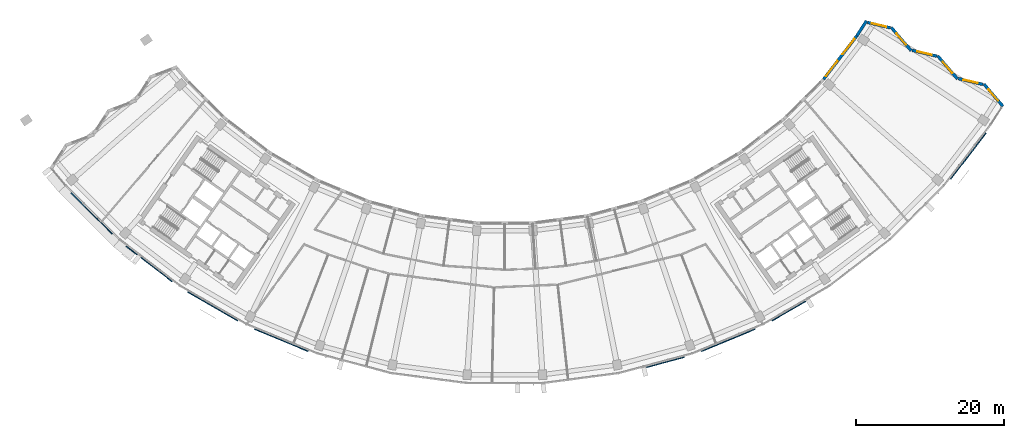
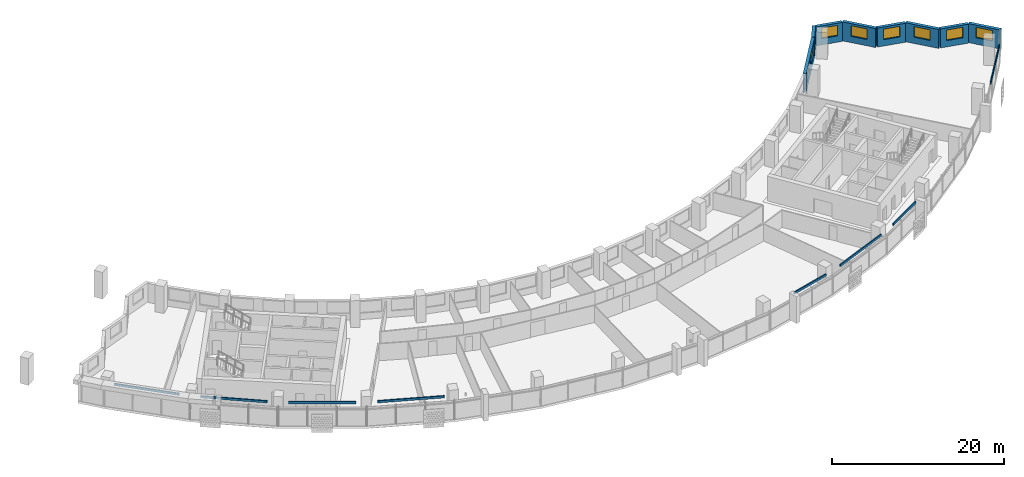
# One storey, part 8 of 26: 8 discrete accessories, 8 walls, 8 windows, 8 openings.
"""IFC4 building model written with IfcOpenShell, lengths in metres."""

from ifc_helpers import new_model, si_unit, direction, frame, frame_2d, origin, origin_2d, place, context, subcontext, project, spatial, rectangle, extrude, material, layer, layer_set, type_object, element, fill, save


model = new_model("IFC4")

# Units and contexts
model_context = context("Model", 3, precision=1e-05, world=origin(), true_north=direction((0.0, 1.0)))
body_context = subcontext(model_context, "Body", "Model", "MODEL_VIEW")
ifc_project = project(units=[si_unit("LENGTHUNIT", "METRE"), si_unit("AREAUNIT", "SQUARE_METRE"), si_unit("VOLUMEUNIT", "CUBIC_METRE"), si_unit("PLANEANGLEUNIT", "RADIAN"), si_unit("MASSUNIT", "GRAM", prefix="KILO")], contexts=[model_context])

# Site, building, storey
site_placement = place(None, origin())
site = spatial("IfcSite", under=ifc_project, at=site_placement, CompositionType="ELEMENT")
building_placement = place(site_placement, origin())
building = spatial("IfcBuilding", under=site, at=building_placement, Name="Qamariyya Broadcast Tower", CompositionType="ELEMENT")
storey_placement = place(building_placement, frame((0.0, 0.0, 183.5)))
storey = spatial("IfcBuildingStorey", under=building, at=storey_placement, Name="L43", CompositionType="ELEMENT", Elevation=183.5)

# Wall, opening, window
ifc_material_1 = material(Name="Terracotta", Category="masonry")
ifc_layer = layer(ifc_material_1, 0.39990234375)
ifc_layer_set = layer_set([ifc_layer], Name="Terracotta clad wall 400")
wall_type = type_object("IfcWallType", Name="Terracotta clad wall 400", PredefinedType="SOLIDWALL", material=ifc_layer_set)
wall_1_placement = place(storey_placement, frame((67.26953125, -41.304443359375, 0.0), z_axis=(0.0, 0.0, 1.0), x_axis=(-0.649596068572, 0.760279519451, 0.0)))
wall_1 = element("IfcWall", 1, at=wall_1_placement, inside=storey, type_object=wall_type, Name="e-wl-L43-capE0", PredefinedType="SOLIDWALL", context=body_context, shape_type="SweptSolid", body=[
    extrude(rectangle(XDim=3.921875, YDim=0.39990234375, at=frame_2d((1.9609375, 0.0))), origin(), (0.0, 0.0, 1.0), 2.699951171875),
])
opening_1_placement = place(wall_1_placement, frame((0.9609375, 0.0, 0.89990234375)))
opening_1 = element("IfcOpeningElement", 2, at=opening_1_placement, cuts=wall_1, Name="Opening W4", PredefinedType="OPENING", context=body_context, shape_type="SweptSolid", body=[
    extrude(rectangle(XDim=2.0, YDim=1.5, at=frame_2d((1.0, 0.75))), frame((0.0, 0.2099609375, 0.0), z_axis=(0.0, -1.0, 0.0), x_axis=(1.0, 0.0, 0.0)), (0.0, 0.0, 1.0), 0.419921875),
])
ifc_material_2 = material(Name="Clear low-e double glazed unit in aluminium frame", Category="aluminium")
window_type_1 = type_object("IfcWindowType", Name="Horn bay window 2000 x 1500", PartitioningType="SINGLE_PANEL", PredefinedType="WINDOW", material=ifc_material_2)
window_1_placement = place(opening_1_placement, origin())
window_1 = element("IfcWindow", 3, at=window_1_placement, inside=storey, type_object=window_type_1, Name="e-w-L43-capE0", OverallHeight=1.5, OverallWidth=2.0, PartitioningType="SINGLE_PANEL", PredefinedType="WINDOW", context=body_context, shape_type="SweptSolid", body=[
    extrude(rectangle(XDim=2.0, YDim=1.5, at=frame_2d((1.0, 0.75))), frame((0.0, 0.030029296875, 0.0), z_axis=(0.0, -1.0, 0.0), x_axis=(1.0, 0.0, 0.0)), (0.0, 0.0, 1.0), 0.06005859375),
])
fill(opening_1, window_1)

wall_2_placement = place(storey_placement, frame((64.591064453125, -38.36474609375, 0.0), z_axis=(0.0, 0.0, 1.0), x_axis=(-0.973401248379, 0.229106982987, 0.0)))
wall_2 = element("IfcWall", 4, at=wall_2_placement, inside=storey, type_object=wall_type, Name="e-wl-L43-capE1", PredefinedType="SOLIDWALL", context=body_context, shape_type="SweptSolid", body=[
    extrude(rectangle(XDim=3.419677734375, YDim=0.39990234375, at=frame_2d((1.7099609375, 0.0))), origin(), (0.0, 0.0, 1.0), 2.699951171875),
])
opening_2_placement = place(wall_2_placement, frame((0.709716796875, 0.0, 0.89990234375)))
opening_2 = element("IfcOpeningElement", 5, at=opening_2_placement, cuts=wall_2, Name="Opening W4", PredefinedType="OPENING", context=body_context, shape_type="SweptSolid", body=[
    extrude(rectangle(XDim=2.0, YDim=1.5, at=frame_2d((1.0, 0.75))), frame((0.0, 0.2099609375, 0.0), z_axis=(0.0, -1.0, 0.0), x_axis=(1.0, 0.0, 0.0)), (0.0, 0.0, 1.0), 0.419921875),
])
window_2_placement = place(opening_2_placement, origin())
window_2 = element("IfcWindow", 6, at=window_2_placement, inside=storey, type_object=window_type_1, Name="e-w-L43-capE1", OverallHeight=1.5, OverallWidth=2.0, PartitioningType="SINGLE_PANEL", PredefinedType="WINDOW", context=body_context, shape_type="SweptSolid", body=[
    extrude(rectangle(XDim=2.0, YDim=1.5, at=frame_2d((1.0, 0.75))), frame((0.0, 0.030029296875, 0.0), z_axis=(0.0, -1.0, 0.0), x_axis=(1.0, 0.0, 0.0)), (0.0, 0.0, 1.0), 0.06005859375),
])
fill(opening_2, window_2)

wall_3_placement = place(storey_placement, frame((61.13134765625, -37.623291015625, 0.0), z_axis=(0.0, 0.0, 1.0), x_axis=(-0.649640461738, 0.760241586914, 0.0)))
wall_3 = element("IfcWall", 7, at=wall_3_placement, inside=storey, type_object=wall_type, Name="e-wl-L43-capE2", PredefinedType="SOLIDWALL", context=body_context, shape_type="SweptSolid", body=[
    extrude(rectangle(XDim=4.10791015625, YDim=0.39990234375, at=frame_2d((2.053955078125, 0.0))), origin(), (0.0, 0.0, 1.0), 2.699951171875),
])
opening_3_placement = place(wall_3_placement, frame((1.053955078125, 0.0, 0.89990234375)))
opening_3 = element("IfcOpeningElement", 8, at=opening_3_placement, cuts=wall_3, Name="Opening W4", PredefinedType="OPENING", context=body_context, shape_type="SweptSolid", body=[
    extrude(rectangle(XDim=2.0, YDim=1.5, at=frame_2d((1.0, 0.75))), frame((0.0, 0.2099609375, 0.0), z_axis=(0.0, -1.0, 0.0), x_axis=(1.0, 0.0, 0.0)), (0.0, 0.0, 1.0), 0.419921875),
])
window_3_placement = place(opening_3_placement, origin())
window_3 = element("IfcWindow", 9, at=window_3_placement, inside=storey, type_object=window_type_1, Name="e-w-L43-capE2", OverallHeight=1.5, OverallWidth=2.0, PartitioningType="SINGLE_PANEL", PredefinedType="WINDOW", context=body_context, shape_type="SweptSolid", body=[
    extrude(rectangle(XDim=2.0, YDim=1.5, at=frame_2d((1.0, 0.75))), frame((0.0, 0.030029296875, 0.0), z_axis=(0.0, -1.0, 0.0), x_axis=(1.0, 0.0, 0.0)), (0.0, 0.0, 1.0), 0.06005859375),
])
fill(opening_3, window_3)

wall_4_placement = place(storey_placement, frame((58.33154296875, -34.542236328125, 0.0), z_axis=(0.0, 0.0, 1.0), x_axis=(-0.973402180565, 0.229103022396, 0.0)))
wall_4 = element("IfcWall", 10, at=wall_4_placement, inside=storey, type_object=wall_type, Name="e-wl-L43-capE3", PredefinedType="SOLIDWALL", context=body_context, shape_type="SweptSolid", body=[
    extrude(rectangle(XDim=3.41845703125, YDim=0.39990234375, at=frame_2d((1.709228515625, 0.0))), origin(), (0.0, 0.0, 1.0), 2.699951171875),
])
opening_4_placement = place(wall_4_placement, frame((0.709228515625, 0.0, 0.89990234375)))
opening_4 = element("IfcOpeningElement", 11, at=opening_4_placement, cuts=wall_4, Name="Opening W4", PredefinedType="OPENING", context=body_context, shape_type="SweptSolid", body=[
    extrude(rectangle(XDim=2.0, YDim=1.5, at=frame_2d((1.0, 0.75))), frame((0.0, 0.2099609375, 0.0), z_axis=(0.0, -1.0, 0.0), x_axis=(1.0, 0.0, 0.0)), (0.0, 0.0, 1.0), 0.419921875),
])
window_4_placement = place(opening_4_placement, origin())
window_4 = element("IfcWindow", 12, at=window_4_placement, inside=storey, type_object=window_type_1, Name="e-w-L43-capE3", OverallHeight=1.5, OverallWidth=2.0, PartitioningType="SINGLE_PANEL", PredefinedType="WINDOW", context=body_context, shape_type="SweptSolid", body=[
    extrude(rectangle(XDim=2.0, YDim=1.5, at=frame_2d((1.0, 0.75))), frame((0.0, 0.030029296875, 0.0), z_axis=(0.0, -1.0, 0.0), x_axis=(1.0, 0.0, 0.0)), (0.0, 0.0, 1.0), 0.06005859375),
])
fill(opening_4, window_4)

wall_5_placement = place(storey_placement, frame((54.872802734375, -33.80126953125, 0.0), z_axis=(0.0, 0.0, 1.0), x_axis=(-0.649724120198, 0.760170091252, 0.0)))
wall_5 = element("IfcWall", 13, at=wall_5_placement, inside=storey, type_object=wall_type, Name="e-wl-L43-capE4", PredefinedType="SOLIDWALL", context=body_context, shape_type="SweptSolid", body=[
    extrude(rectangle(XDim=4.109375, YDim=0.39990234375, at=frame_2d((2.0546875, 0.0))), origin(), (0.0, 0.0, 1.0), 2.699951171875),
])
opening_5_placement = place(wall_5_placement, frame((1.0546875, 0.0, 0.89990234375)))
opening_5 = element("IfcOpeningElement", 14, at=opening_5_placement, cuts=wall_5, Name="Opening W4", PredefinedType="OPENING", context=body_context, shape_type="SweptSolid", body=[
    extrude(rectangle(XDim=2.0, YDim=1.5, at=frame_2d((1.0, 0.75))), frame((0.0, 0.2099609375, 0.0), z_axis=(0.0, -1.0, 0.0), x_axis=(1.0, 0.0, 0.0)), (0.0, 0.0, 1.0), 0.419921875),
])
window_5_placement = place(opening_5_placement, origin())
window_5 = element("IfcWindow", 15, at=window_5_placement, inside=storey, type_object=window_type_1, Name="e-w-L43-capE4", OverallHeight=1.5, OverallWidth=2.0, PartitioningType="SINGLE_PANEL", PredefinedType="WINDOW", context=body_context, shape_type="SweptSolid", body=[
    extrude(rectangle(XDim=2.0, YDim=1.5, at=frame_2d((1.0, 0.75))), frame((0.0, 0.030029296875, 0.0), z_axis=(0.0, -1.0, 0.0), x_axis=(1.0, 0.0, 0.0)), (0.0, 0.0, 1.0), 0.06005859375),
])
fill(opening_5, window_5)

wall_6_placement = place(storey_placement, frame((52.072021484375, -30.719482421875, 0.0), z_axis=(0.0, 0.0, 1.0), x_axis=(-0.973437343788, 0.228953571099, 0.0)))
wall_6 = element("IfcWall", 16, at=wall_6_placement, inside=storey, type_object=wall_type, Name="e-wl-L43-capE5", PredefinedType="SOLIDWALL", context=body_context, shape_type="SweptSolid", body=[
    extrude(rectangle(XDim=3.17333984375, YDim=0.39990234375, at=frame_2d((1.586669921875, 0.0))), origin(), (0.0, 0.0, 1.0), 2.699951171875),
])
opening_6_placement = place(wall_6_placement, frame((0.586669921875, 0.0, 0.89990234375)))
opening_6 = element("IfcOpeningElement", 17, at=opening_6_placement, cuts=wall_6, Name="Opening W4", PredefinedType="OPENING", context=body_context, shape_type="SweptSolid", body=[
    extrude(rectangle(XDim=2.0, YDim=1.5, at=frame_2d((1.0, 0.75))), frame((0.0, 0.2099609375, 0.0), z_axis=(0.0, -1.0, 0.0), x_axis=(1.0, 0.0, 0.0)), (0.0, 0.0, 1.0), 0.419921875),
])
window_6_placement = place(opening_6_placement, origin())
window_6 = element("IfcWindow", 18, at=window_6_placement, inside=storey, type_object=window_type_1, Name="e-w-L43-capE5", OverallHeight=1.5, OverallWidth=2.0, PartitioningType="SINGLE_PANEL", PredefinedType="WINDOW", context=body_context, shape_type="SweptSolid", body=[
    extrude(rectangle(XDim=2.0, YDim=1.5, at=frame_2d((1.0, 0.75))), frame((0.0, 0.030029296875, 0.0), z_axis=(0.0, -1.0, 0.0), x_axis=(1.0, 0.0, 0.0)), (0.0, 0.0, 1.0), 0.06005859375),
])
fill(opening_6, window_6)

# Wall, openings, windows
wall_7_placement = place(storey_placement, frame((47.538330078125, -31.807861328125, 0.0), z_axis=(0.0, 0.0, 1.0), x_axis=(-0.608784961151, -0.793335282889, 0.0)))
wall_7 = element("IfcWall", 19, at=wall_7_placement, inside=storey, type_object=wall_type, Name="e-wl-L43-in140", PredefinedType="SOLIDWALL", context=body_context, shape_type="SweptSolid", body=[
    extrude(rectangle(XDim=7.39501953125, YDim=0.39990234375, at=frame_2d((3.697509765625, 0.0))), origin(), (0.0, 0.0, 1.0), 2.699951171875),
])
opening_7_placement = place(wall_7_placement, frame((4.2685546875, 0.0, 0.89990234375)))
opening_7 = element("IfcOpeningElement", 20, at=opening_7_placement, cuts=wall_7, Name="Opening W1", PredefinedType="OPENING", context=body_context, shape_type="SweptSolid", body=[
    extrude(rectangle(XDim=2.60009765625, YDim=1.64990234375, at=frame_2d((1.300048828125, 0.824951171875))), frame((0.0, 0.2099609375, 0.0), z_axis=(0.0, -1.0, 0.0), x_axis=(1.0, 0.0, 0.0)), (0.0, 0.0, 1.0), 0.419921875),
])
opening_8_placement = place(wall_7_placement, frame((0.54052734375, 0.0, 0.89990234375)))
opening_8 = element("IfcOpeningElement", 21, at=opening_8_placement, cuts=wall_7, Name="Opening W1", PredefinedType="OPENING", context=body_context, shape_type="SweptSolid", body=[
    extrude(rectangle(XDim=2.60009765625, YDim=1.64990234375, at=frame_2d((1.300048828125, 0.824951171875))), frame((0.0, 0.2099609375, 0.0), z_axis=(0.0, -1.0, 0.0), x_axis=(1.0, 0.0, 0.0)), (0.0, 0.0, 1.0), 0.419921875),
])
window_type_2 = type_object("IfcWindowType", Name="Ribbon window 2600 x 1650", PartitioningType="SINGLE_PANEL", PredefinedType="WINDOW", material=ifc_material_2)
window_7_placement = place(opening_7_placement, origin())
window_7 = element("IfcWindow", 22, at=window_7_placement, inside=storey, type_object=window_type_2, Name="e-w-L43-in14-0", OverallHeight=1.64990234375, OverallWidth=2.60009765625, PartitioningType="SINGLE_PANEL", PredefinedType="WINDOW", context=body_context, shape_type="SweptSolid", body=[
    extrude(rectangle(XDim=2.60009765625, YDim=1.64990234375, at=frame_2d((1.300048828125, 0.824951171875))), frame((0.0, 0.030029296875, 0.0), z_axis=(0.0, -1.0, 0.0), x_axis=(1.0, 0.0, 0.0)), (0.0, 0.0, 1.0), 0.06005859375),
])
fill(opening_7, window_7)
window_8_placement = place(opening_8_placement, origin())
window_8 = element("IfcWindow", 23, at=window_8_placement, inside=storey, type_object=window_type_2, Name="e-w-L43-in14-1", OverallHeight=1.64990234375, OverallWidth=2.60009765625, PartitioningType="SINGLE_PANEL", PredefinedType="WINDOW", context=body_context, shape_type="SweptSolid", body=[
    extrude(rectangle(XDim=2.60009765625, YDim=1.64990234375, at=frame_2d((1.300048828125, 0.824951171875))), frame((0.0, 0.030029296875, 0.0), z_axis=(0.0, -1.0, 0.0), x_axis=(1.0, 0.0, 0.0)), (0.0, 0.0, 1.0), 0.06005859375),
])
fill(opening_8, window_8)

# Wall
wall_8_placement = place(storey_placement, frame((48.84033203125, -29.775146484375, 0.0), z_axis=(0.0, 0.0, 1.0), x_axis=(-0.538449545087, -0.842657752232, 0.0)))
element("IfcWall", 24, at=wall_8_placement, inside=storey, type_object=wall_type, Name="e-wl-L43-in150", PredefinedType="SOLIDWALL", context=body_context, shape_type="SweptSolid", body=[
    extrude(rectangle(XDim=2.397216796875, YDim=0.39990234375, at=frame_2d((1.19873046875, 0.0))), origin(), (0.0, 0.0, 1.0), 2.699951171875),
])

# Discrete accessories
ifc_material_3 = material(Name="Stainless steel 316", Category="steel")
discrete_accessory_type = type_object("IfcDiscreteAccessoryType", Name="Slab edge fixing angle, stainless steel", PredefinedType="BRACKET", material=ifc_material_3)
for number, where, z_axis, x_axis, name in (
    (25, (-55.794921875, -55.794921875, 3.2998046875), (0.0, 0.0, 1.0), (0.707106781187, -0.707106781187, 0.0), "e-br-L43-01-0"),
    (26, (-48.034912109375, -62.600341796875, 3.2998046875), (0.0, 0.0, 1.0), (0.793353340291, -0.608761429009, 0.0), "e-br-L43-02-0"),
    (27, (-39.452880859375, -68.33447265625, 3.2998046875), (0.0, 0.0, 1.0), (0.866025403784, -0.5, 0.0), "e-br-L43-03-0"),
    (28, (-30.196044921875, -72.8994140625, 3.2998046875), (0.0, 0.0, 1.0), (0.923879532511, -0.382683432365, 0.0), "e-br-L43-04-0"),
):
    element("IfcDiscreteAccessory", number, at=place(storey_placement, frame(where, z_axis=z_axis, x_axis=x_axis)), inside=storey, type_object=discrete_accessory_type, Name=name, PredefinedType="BRACKET", context=body_context, shape_type="SweptSolid", body=[
        extrude(rectangle(XDim=7.850341796875, YDim=0.14990234375, at=origin_2d()), origin(), (0.0, 0.0, 1.0), 0.300048828125),
    ])
discrete_accessory_1_placement = place(storey_placement, frame((21.669921875, -75.8828125, 3.2998046875), z_axis=(0.0, 0.0, 1.0), x_axis=(0.965925826289, 0.258819045103, 0.0)))
element("IfcDiscreteAccessory", 29, at=discrete_accessory_1_placement, inside=storey, type_object=discrete_accessory_type, Name="e-br-L43-09-0", PredefinedType="BRACKET", context=body_context, shape_type="SweptSolid", body=[
    extrude(rectangle(XDim=5.266845703125, YDim=0.14990234375, at=origin_2d()), origin(), (0.0, 0.0, 1.0), 0.300048828125),
])
discrete_accessory_2_placement = place(storey_placement, frame((30.196044921875, -72.8994140625, 3.2998046875), z_axis=(0.0, 0.0, 1.0), x_axis=(0.923879532511, 0.382683432365, 0.0)))
element("IfcDiscreteAccessory", 30, at=discrete_accessory_2_placement, inside=storey, type_object=discrete_accessory_type, Name="e-br-L43-10-0", PredefinedType="BRACKET", context=body_context, shape_type="SweptSolid", body=[
    extrude(rectangle(XDim=7.850341796875, YDim=0.14990234375, at=origin_2d()), origin(), (0.0, 0.0, 1.0), 0.300048828125),
])
discrete_accessory_3_placement = place(storey_placement, frame((38.334228515625, -68.980224609375, 3.2998046875), z_axis=(0.0, 0.0, 1.0), x_axis=(0.866025403784, 0.5, 0.0)))
element("IfcDiscreteAccessory", 31, at=discrete_accessory_3_placement, inside=storey, type_object=discrete_accessory_type, Name="e-br-L43-11-0", PredefinedType="BRACKET", context=body_context, shape_type="SweptSolid", body=[
    extrude(rectangle(XDim=5.266845703125, YDim=0.14990234375, at=origin_2d()), origin(), (0.0, 0.0, 1.0), 0.300048828125),
])
discrete_accessory_4_placement = place(storey_placement, frame((62.600341796875, -48.034912109375, 3.2998046875), z_axis=(0.0, 0.0, 1.0), x_axis=(0.608761429009, 0.793353340291, 0.0)))
element("IfcDiscreteAccessory", 32, at=discrete_accessory_4_placement, inside=storey, type_object=discrete_accessory_type, Name="e-br-L43-14-0", PredefinedType="BRACKET", context=body_context, shape_type="SweptSolid", body=[
    extrude(rectangle(XDim=7.850341796875, YDim=0.14990234375, at=origin_2d()), origin(), (0.0, 0.0, 1.0), 0.300048828125),
])

save(model, "model.ifc")
